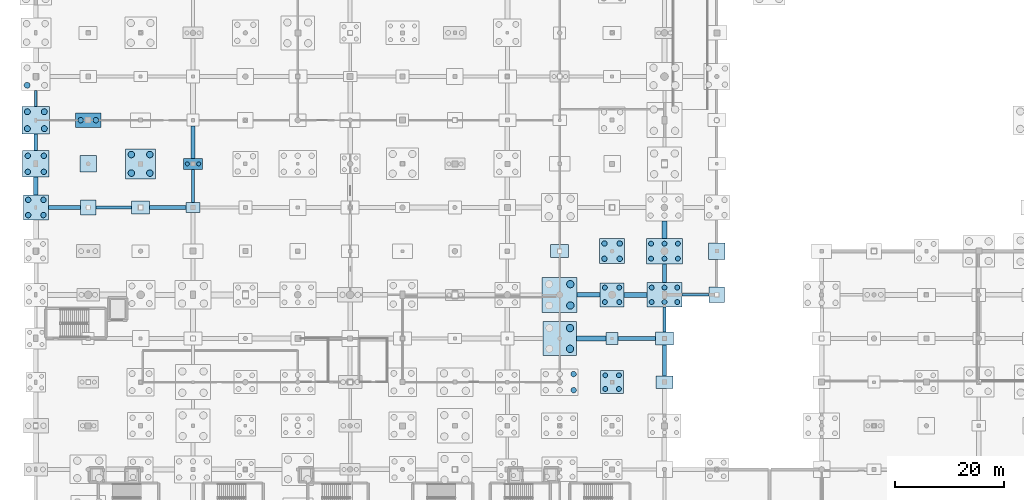
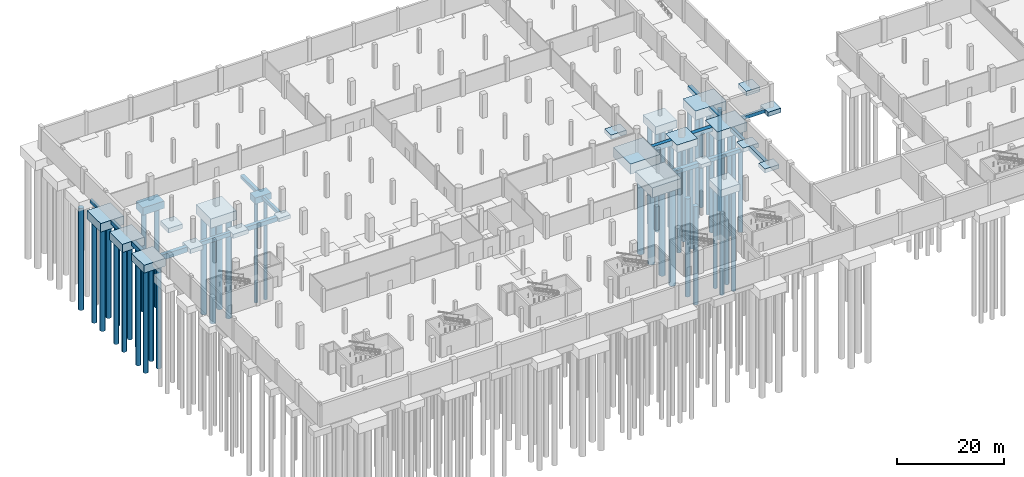
# One storey, part 6 of 44: 51 piles, 40 footings.
"""IFC4 building model written with IfcOpenShell, lengths in metres."""

from ifc_helpers import new_model, si_unit, direction, frame, origin, origin_2d, place, context, subcontext, project, spatial, rectangle, circle, extrude, material, material_profile, profile_set, type_object, element, save


model = new_model("IFC4")

# Units and contexts
model_context = context("Model", 3, precision=1e-05, world=origin(), true_north=direction((0.0, 1.0)))
body_context = subcontext(model_context, "Body", "Model", "MODEL_VIEW")
ifc_project = project(units=[si_unit("LENGTHUNIT", "METRE"), si_unit("AREAUNIT", "SQUARE_METRE"), si_unit("VOLUMEUNIT", "CUBIC_METRE"), si_unit("PLANEANGLEUNIT", "RADIAN"), si_unit("MASSUNIT", "GRAM", prefix="KILO")], contexts=[model_context])

# Site, building, storey
site_placement = place(None, origin())
site = spatial("IfcSite", under=ifc_project, at=site_placement, CompositionType="ELEMENT")
building_placement = place(site_placement, origin())
building = spatial("IfcBuilding", under=site, at=building_placement, Name="Danafjord Basin Convention Centre", CompositionType="ELEMENT")
storey_placement = place(building_placement, frame((0.0, 0.0, -5.39990234375)))
storey = spatial("IfcBuildingStorey", under=building, at=storey_placement, Name="B1", CompositionType="ELEMENT", Elevation=-5.39990234375)

# Footings
ifc_material_1 = material(Name="Concrete C40/50", Category="concrete")
footing_type_1 = type_object("IfcFootingType", Name="CAP-PC-01", PredefinedType="PILE_CAP", material=ifc_material_1)
footing_1_placement = place(storey_placement, frame((28.800048828125, 80.0, -2.0), z_axis=(0.0, 0.0, 1.0), x_axis=(1.0, 0.0, 0.0)))
element("IfcFooting", 1, at=footing_1_placement, inside=storey, type_object=footing_type_1, Name="B1 pile cap PC-01 at (28.8, 80.0)", PredefinedType="PILE_CAP", context=body_context, shape_type="SweptSolid", body=[
    extrude(rectangle(XDim=3.5, YDim=2.0, at=origin_2d()), origin(), (0.0, 0.0, 1.0), 1.39990234375),
])
footing_type_2 = type_object("IfcFootingType", Name="CAP-PC-05", PredefinedType="PILE_CAP", material=ifc_material_1)
footing_2_placement = place(storey_placement, frame((9.60009765625, 88.0, -2.30029296875), z_axis=(0.0, 0.0, 1.0), x_axis=(1.0, 0.0, 0.0)))
element("IfcFooting", 2, at=footing_2_placement, inside=storey, type_object=footing_type_2, Name="B1 pile cap PC-05 at (9.6, 88.0)", PredefinedType="PILE_CAP", context=body_context, shape_type="SweptSolid", body=[
    extrude(rectangle(XDim=4.60009765625, YDim=2.60009765625, at=origin_2d()), origin(), (0.0, 0.0, 1.0), 1.699951171875),
])
footing_type_3 = type_object("IfcFootingType", Name="CAP-PC-08", PredefinedType="PILE_CAP", material=ifc_material_1)
footing_3_placement = place(storey_placement, frame((105.60009765625, 40.0, -2.300048828125), z_axis=(0.0, 0.0, 1.0), x_axis=(1.0, 0.0, 0.0)))
element("IfcFooting", 3, at=footing_3_placement, inside=storey, type_object=footing_type_3, Name="B1 pile cap PC-08 at (105.6, 40.0)", PredefinedType="PILE_CAP", context=body_context, shape_type="SweptSolid", body=[
    extrude(rectangle(XDim=4.199951171875, YDim=4.199951171875, at=origin_2d()), origin(), (0.0, 0.0, 1.0), 1.64990234375),
])
footing_type_4 = type_object("IfcFootingType", Name="CAP-PC-09", PredefinedType="PILE_CAP", material=ifc_material_1)
footing_4_placement = place(storey_placement, frame((105.60009765625, 56.0, -1.7001953125), z_axis=(0.0, 0.0, 1.0), x_axis=(1.0, 0.0, 0.0)))
element("IfcFooting", 4, at=footing_4_placement, inside=storey, type_object=footing_type_4, Name="B1 pile cap PC-09 at (105.6, 56.0)", PredefinedType="PILE_CAP", context=body_context, shape_type="SweptSolid", body=[
    extrude(rectangle(XDim=4.39990234375, YDim=4.39990234375, at=origin_2d()), origin(), (0.0, 0.0, 1.0), 1.699951171875),
])
footing_type_5 = type_object("IfcFootingType", Name="CAP-PC-10", PredefinedType="PILE_CAP", material=ifc_material_1)
for number, where, z_axis, x_axis, name in (
    (5, (0.0, 72.0, -1.80029296875), (0.0, 0.0, 1.0), (1.0, 0.0, 0.0), "B1 pile cap PC-10 at (0.0, 72.0)"),
    (6, (105.60009765625, 64.0, -2.39990234375), (0.0, 0.0, 1.0), (1.0, 0.0, 0.0), "B1 pile cap PC-10 at (105.6, 64.0)"),
):
    element("IfcFooting", number, at=place(storey_placement, frame(where, z_axis=z_axis, x_axis=x_axis)), inside=storey, type_object=footing_type_5, Name=name, PredefinedType="PILE_CAP", context=body_context, shape_type="SweptSolid", body=[
        extrude(rectangle(XDim=4.60009765625, YDim=4.60009765625, at=origin_2d()), origin(), (0.0, 0.0, 1.0), 1.800048828125),
    ])
footing_type_6 = type_object("IfcFootingType", Name="CAP-PC-11", PredefinedType="PILE_CAP", material=ifc_material_1)
footing_5_placement = place(storey_placement, frame((0.0, 80.0, -1.85009765625), z_axis=(0.0, 0.0, 1.0), x_axis=(1.0, 0.0, 0.0)))
element("IfcFooting", 7, at=footing_5_placement, inside=storey, type_object=footing_type_6, Name="B1 pile cap PC-11 at (0.0, 80.0)", PredefinedType="PILE_CAP", context=body_context, shape_type="SweptSolid", body=[
    extrude(rectangle(XDim=4.800048828125, YDim=4.800048828125, at=origin_2d()), origin(), (0.0, 0.0, 1.0), 1.85009765625),
])
footing_type_7 = type_object("IfcFootingType", Name="CAP-PC-12", PredefinedType="PILE_CAP", material=ifc_material_1)
footing_6_placement = place(storey_placement, frame((0.0, 88.0, -1.9501953125), z_axis=(0.0, 0.0, 1.0), x_axis=(1.0, 0.0, 0.0)))
element("IfcFooting", 8, at=footing_6_placement, inside=storey, type_object=footing_type_7, Name="B1 pile cap PC-12 at (0.0, 88.0)", PredefinedType="PILE_CAP", context=body_context, shape_type="SweptSolid", body=[
    extrude(rectangle(XDim=5.0, YDim=5.0, at=origin_2d()), origin(), (0.0, 0.0, 1.0), 1.949951171875),
])
footing_type_8 = type_object("IfcFootingType", Name="CAP-PC-14", PredefinedType="PILE_CAP", material=ifc_material_1)
footing_7_placement = place(storey_placement, frame((19.199951171875, 80.0, -2.7001953125), z_axis=(0.0, 0.0, 1.0), x_axis=(1.0, 0.0, 0.0)))
element("IfcFooting", 9, at=footing_7_placement, inside=storey, type_object=footing_type_8, Name="B1 pile cap PC-14 at (19.2, 80.0)", PredefinedType="PILE_CAP", context=body_context, shape_type="SweptSolid", body=[
    extrude(rectangle(XDim=5.5, YDim=5.5, at=origin_2d()), origin(), (0.0, 0.0, 1.0), 2.10009765625),
])
footing_type_9 = type_object("IfcFootingType", Name="CAP-PC-17", PredefinedType="PILE_CAP", material=ifc_material_1)
footing_8_placement = place(storey_placement, frame((115.199951171875, 56.0, -2.0), z_axis=(0.0, 0.0, 1.0), x_axis=(1.0, 0.0, 0.0)))
element("IfcFooting", 10, at=footing_8_placement, inside=storey, type_object=footing_type_9, Name="B1 pile cap PC-17 at (115.2, 56.0)", PredefinedType="PILE_CAP", context=body_context, shape_type="SweptSolid", body=[
    extrude(rectangle(XDim=6.39990234375, YDim=4.5, at=origin_2d()), origin(), (0.0, 0.0, 1.0), 2.0),
])
footing_type_10 = type_object("IfcFootingType", Name="CAP-PC-18", PredefinedType="PILE_CAP", material=ifc_material_1)
footing_9_placement = place(storey_placement, frame((115.199951171875, 64.0, -2.05029296875), z_axis=(0.0, 0.0, 1.0), x_axis=(1.0, 0.0, 0.0)))
element("IfcFooting", 11, at=footing_9_placement, inside=storey, type_object=footing_type_10, Name="B1 pile cap PC-18 at (115.2, 64.0)", PredefinedType="PILE_CAP", context=body_context, shape_type="SweptSolid", body=[
    extrude(rectangle(XDim=6.60009765625, YDim=4.699951171875, at=origin_2d()), origin(), (0.0, 0.0, 1.0), 2.050048828125),
])
footing_type_11 = type_object("IfcFootingType", Name="CAP-PC-20", PredefinedType="PILE_CAP", material=ifc_material_1)
footing_10_placement = place(storey_placement, frame((96.0, 48.0, -2.900146484375), z_axis=(0.0, 0.0, 1.0), x_axis=(1.0, 0.0, 0.0)))
element("IfcFooting", 12, at=footing_10_placement, inside=storey, type_object=footing_type_11, Name="B1 pile cap PC-20 at (96.0, 48.0)", PredefinedType="PILE_CAP", context=body_context, shape_type="SweptSolid", body=[
    extrude(rectangle(XDim=6.199951171875, YDim=6.199951171875, at=origin_2d()), origin(), (0.0, 0.0, 1.0), 2.25),
])
footing_type_12 = type_object("IfcFootingType", Name="CAP-PC-21", PredefinedType="PILE_CAP", material=ifc_material_1)
footing_11_placement = place(storey_placement, frame((96.0, 56.0, -2.30029296875), z_axis=(0.0, 0.0, 1.0), x_axis=(1.0, 0.0, 0.0)))
element("IfcFooting", 13, at=footing_11_placement, inside=storey, type_object=footing_type_12, Name="B1 pile cap PC-21 at (96.0, 56.0)", PredefinedType="PILE_CAP", context=body_context, shape_type="SweptSolid", body=[
    extrude(rectangle(XDim=6.39990234375, YDim=6.39990234375, at=origin_2d()), origin(), (0.0, 0.0, 1.0), 2.300048828125),
])
ifc_material_profile_1 = material_profile(ifc_material_1, rectangle(XDim=0.800048828125, YDim=1.0, at=origin_2d()), Name="GB 800x1000")
ifc_profile_set_1 = profile_set([ifc_material_profile_1], Name="Concrete C40/50")
footing_type_13 = type_object("IfcFootingType", Name="FBM-FB-01", PredefinedType="FOOTING_BEAM", material=ifc_profile_set_1)
footing_12_placement = place(storey_placement, frame((0.0, 74.300048828125, -0.5), z_axis=(0.0, 1.0, 0.0), x_axis=(-1.0, 0.0, 0.0)))
element("IfcFooting", 14, at=footing_12_placement, inside=storey, type_object=footing_type_13, Name="B1 foundation tie beam FB-01", PredefinedType="FOOTING_BEAM", context=body_context, shape_type="SweptSolid", body=[
    extrude(rectangle(XDim=0.800048828125, YDim=1.0, at=origin_2d()), origin(), (0.0, 0.0, 1.0), 3.300048828125),
])
footing_13_placement = place(storey_placement, frame((20.85009765625, 72.0, -1.10009765625), z_axis=(1.0, 0.0, 0.0), x_axis=(0.0, 1.0, 0.0)))
element("IfcFooting", 15, at=footing_13_placement, inside=storey, type_object=footing_type_13, Name="B1 foundation beam FB-01", PredefinedType="FOOTING_BEAM", context=body_context, shape_type="SweptSolid", body=[
    extrude(rectangle(XDim=0.800048828125, YDim=1.0, at=origin_2d()), origin(), (0.0, 0.0, 1.0), 6.699951171875),
])
footing_14_placement = place(storey_placement, frame((115.199951171875, 41.125, -0.5), z_axis=(0.0, 1.0, 0.0), x_axis=(-1.0, 0.0, 0.0)))
element("IfcFooting", 16, at=footing_14_placement, inside=storey, type_object=footing_type_13, Name="B1 foundation tie beam FB-01", PredefinedType="FOOTING_BEAM", context=body_context, shape_type="SweptSolid", body=[
    extrude(rectangle(XDim=0.800048828125, YDim=1.0, at=origin_2d()), origin(), (0.0, 0.0, 1.0), 5.675048828125),
])
ifc_material_profile_2 = material_profile(ifc_material_1, rectangle(XDim=0.60009765625, YDim=0.89990234375, at=origin_2d()), Name="GB 600x900")
ifc_profile_set_2 = profile_set([ifc_material_profile_2], Name="Concrete C40/50")
footing_type_14 = type_object("IfcFootingType", Name="FBM-FB-02", PredefinedType="FOOTING_BEAM", material=ifc_profile_set_2)
footing_15_placement = place(storey_placement, frame((0.0, 82.39990234375, -0.4501953125), z_axis=(0.0, 1.0, 0.0), x_axis=(-1.0, 0.0, 0.0)))
element("IfcFooting", 17, at=footing_15_placement, inside=storey, type_object=footing_type_14, Name="B1 foundation tie beam FB-02", PredefinedType="FOOTING_BEAM", context=body_context, shape_type="SweptSolid", body=[
    extrude(rectangle(XDim=0.60009765625, YDim=0.89990234375, at=origin_2d()), origin(), (0.0, 0.0, 1.0), 3.10009765625),
])
footing_16_placement = place(storey_placement, frame((11.0, 72.0, -1.050048828125), z_axis=(1.0, 0.0, 0.0), x_axis=(0.0, 1.0, 0.0)))
element("IfcFooting", 18, at=footing_16_placement, inside=storey, type_object=footing_type_14, Name="B1 foundation beam FB-02", PredefinedType="FOOTING_BEAM", context=body_context, shape_type="SweptSolid", body=[
    extrude(rectangle(XDim=0.60009765625, YDim=0.89990234375, at=origin_2d()), origin(), (0.0, 0.0, 1.0), 6.550048828125),
])
footing_17_placement = place(storey_placement, frame((115.199951171875, 49.199951171875, -0.4501953125), z_axis=(0.0, 1.0, 0.0), x_axis=(-1.0, 0.0, 0.0)))
element("IfcFooting", 19, at=footing_17_placement, inside=storey, type_object=footing_type_14, Name="B1 foundation tie beam FB-02", PredefinedType="FOOTING_BEAM", context=body_context, shape_type="SweptSolid", body=[
    extrude(rectangle(XDim=0.60009765625, YDim=0.89990234375, at=origin_2d()), origin(), (0.0, 0.0, 1.0), 4.550048828125),
])
ifc_material_profile_3 = material_profile(ifc_material_1, rectangle(XDim=0.5, YDim=0.800048828125, at=origin_2d()), Name="PCB 500x800")
ifc_profile_set_3 = profile_set([ifc_material_profile_3], Name="Concrete C40/50")
footing_type_15 = type_object("IfcFootingType", Name="FBM-FB-03", PredefinedType="FOOTING_BEAM", material=ifc_profile_set_3)
footing_18_placement = place(storey_placement, frame((0.0, 90.5, -0.400146484375), z_axis=(0.0, 1.0, 0.0), x_axis=(-1.0, 0.0, 0.0)))
element("IfcFooting", 20, at=footing_18_placement, inside=storey, type_object=footing_type_15, Name="B1 foundation tie beam FB-03", PredefinedType="FOOTING_BEAM", context=body_context, shape_type="SweptSolid", body=[
    extrude(rectangle(XDim=0.5, YDim=0.800048828125, at=origin_2d()), origin(), (0.0, 0.0, 1.0), 2.89990234375),
])
footing_19_placement = place(storey_placement, frame((28.800048828125, 72.949951171875, -1.0), z_axis=(0.0, 1.0, 0.0), x_axis=(-1.0, 0.0, 0.0)))
element("IfcFooting", 21, at=footing_19_placement, inside=storey, type_object=footing_type_15, Name="B1 foundation tie beam FB-03", PredefinedType="FOOTING_BEAM", context=body_context, shape_type="SweptSolid", body=[
    extrude(rectangle(XDim=0.5, YDim=0.800048828125, at=origin_2d()), origin(), (0.0, 0.0, 1.0), 6.050048828125),
])
footing_20_placement = place(storey_placement, frame((118.39990234375, 56.0, -0.400146484375), z_axis=(1.0, 0.0, 0.0), x_axis=(0.0, 1.0, 0.0)))
element("IfcFooting", 22, at=footing_20_placement, inside=storey, type_object=footing_type_15, Name="B1 foundation beam FB-03", PredefinedType="FOOTING_BEAM", context=body_context, shape_type="SweptSolid", body=[
    extrude(rectangle(XDim=0.5, YDim=0.800048828125, at=origin_2d()), origin(), (0.0, 0.0, 1.0), 5.0),
])
ifc_material_profile_4 = material_profile(ifc_material_1, rectangle(XDim=0.75, YDim=0.75, at=origin_2d()), Name="RC 750x750")
ifc_profile_set_4 = profile_set([ifc_material_profile_4], Name="Concrete C40/50")
footing_type_16 = type_object("IfcFootingType", Name="FBM-FB-04", PredefinedType="FOOTING_BEAM", material=ifc_profile_set_4)
footing_21_placement = place(storey_placement, frame((28.800048828125, 81.0, -0.97509765625), z_axis=(0.0, 1.0, 0.0), x_axis=(-1.0, 0.0, 0.0)))
element("IfcFooting", 23, at=footing_21_placement, inside=storey, type_object=footing_type_16, Name="B1 foundation tie beam FB-04", PredefinedType="FOOTING_BEAM", context=body_context, shape_type="SweptSolid", body=[
    extrude(rectangle(XDim=0.75, YDim=0.75, at=origin_2d()), origin(), (0.0, 0.0, 1.0), 5.89990234375),
])
footing_22_placement = place(storey_placement, frame((106.699951171875, 48.0, -1.025146484375), z_axis=(1.0, 0.0, 0.0), x_axis=(0.0, 1.0, 0.0)))
element("IfcFooting", 24, at=footing_22_placement, inside=storey, type_object=footing_type_16, Name="B1 foundation beam FB-04", PredefinedType="FOOTING_BEAM", context=body_context, shape_type="SweptSolid", body=[
    extrude(rectangle(XDim=0.75, YDim=0.75, at=origin_2d()), origin(), (0.0, 0.0, 1.0), 6.85009765625),
])
footing_23_placement = place(storey_placement, frame((115.199951171875, 58.25, -0.375), z_axis=(0.0, 1.0, 0.0), x_axis=(-1.0, 0.0, 0.0)))
element("IfcFooting", 25, at=footing_23_placement, inside=storey, type_object=footing_type_16, Name="B1 foundation tie beam FB-04", PredefinedType="FOOTING_BEAM", context=body_context, shape_type="SweptSolid", body=[
    extrude(rectangle(XDim=0.75, YDim=0.75, at=origin_2d()), origin(), (0.0, 0.0, 1.0), 3.39990234375),
])
ifc_material_profile_5 = material_profile(ifc_material_1, rectangle(XDim=0.89990234375, YDim=0.89990234375, at=origin_2d()), Name="RC 900x900")
ifc_profile_set_5 = profile_set([ifc_material_profile_5], Name="Concrete C40/50")
footing_type_17 = type_object("IfcFootingType", Name="FBM-FB-05", PredefinedType="FOOTING_BEAM", material=ifc_profile_set_5)
footing_24_placement = place(storey_placement, frame((99.10009765625, 48.0, -1.10009765625), z_axis=(1.0, 0.0, 0.0), x_axis=(0.0, 1.0, 0.0)))
element("IfcFooting", 26, at=footing_24_placement, inside=storey, type_object=footing_type_17, Name="B1 foundation beam FB-05", PredefinedType="FOOTING_BEAM", context=body_context, shape_type="SweptSolid", body=[
    extrude(rectangle(XDim=0.89990234375, YDim=0.89990234375, at=origin_2d()), origin(), (0.0, 0.0, 1.0), 5.39990234375),
])
footing_25_placement = place(storey_placement, frame((107.800048828125, 56.0, -0.4501953125), z_axis=(1.0, 0.0, 0.0), x_axis=(0.0, 1.0, 0.0)))
element("IfcFooting", 27, at=footing_25_placement, inside=storey, type_object=footing_type_17, Name="B1 foundation beam FB-05", PredefinedType="FOOTING_BEAM", context=body_context, shape_type="SweptSolid", body=[
    extrude(rectangle(XDim=0.89990234375, YDim=0.89990234375, at=origin_2d()), origin(), (0.0, 0.0, 1.0), 4.199951171875),
])
footing_26_placement = place(storey_placement, frame((115.199951171875, 66.35009765625, -0.4501953125), z_axis=(0.0, 1.0, 0.0), x_axis=(-1.0, 0.0, 0.0)))
element("IfcFooting", 28, at=footing_26_placement, inside=storey, type_object=footing_type_17, Name="B1 foundation tie beam FB-05", PredefinedType="FOOTING_BEAM", context=body_context, shape_type="SweptSolid", body=[
    extrude(rectangle(XDim=0.89990234375, YDim=0.89990234375, at=origin_2d()), origin(), (0.0, 0.0, 1.0), 3.199951171875),
])
ifc_material_profile_6 = material_profile(ifc_material_1, rectangle(XDim=0.800048828125, YDim=1.199951171875, at=origin_2d()), Name="RC 1200x800")
ifc_profile_set_6 = profile_set([ifc_material_profile_6], Name="Concrete C40/50")
footing_type_18 = type_object("IfcFootingType", Name="FBM-FB-06", PredefinedType="FOOTING_BEAM", material=ifc_profile_set_6)
footing_27_placement = place(storey_placement, frame((2.300048828125, 72.0, -1.2001953125), z_axis=(1.0, 0.0, 0.0), x_axis=(0.0, 1.0, 0.0)))
element("IfcFooting", 29, at=footing_27_placement, inside=storey, type_object=footing_type_18, Name="B1 foundation beam FB-06", PredefinedType="FOOTING_BEAM", context=body_context, shape_type="SweptSolid", body=[
    extrude(rectangle(XDim=0.800048828125, YDim=1.199951171875, at=origin_2d()), origin(), (0.0, 0.0, 1.0), 5.89990234375),
])
footing_28_placement = place(storey_placement, frame((99.199951171875, 56.0, -0.60009765625), z_axis=(1.0, 0.0, 0.0), x_axis=(0.0, 1.0, 0.0)))
element("IfcFooting", 30, at=footing_28_placement, inside=storey, type_object=footing_type_18, Name="B1 foundation beam FB-06", PredefinedType="FOOTING_BEAM", context=body_context, shape_type="SweptSolid", body=[
    extrude(rectangle(XDim=0.800048828125, YDim=1.199951171875, at=origin_2d()), origin(), (0.0, 0.0, 1.0), 4.199951171875),
])
ifc_material_2 = material(Name="Concrete C35/45", Category="concrete")
footing_type_19 = type_object("IfcFootingType", Name="PAD-PF-02", PredefinedType="PAD_FOOTING", material=ifc_material_2)
footing_29_placement = place(storey_placement, frame((105.60009765625, 48.0, -1.500244140625), z_axis=(0.0, 0.0, 1.0), x_axis=(1.0, 0.0, 0.0)))
element("IfcFooting", 31, at=footing_29_placement, inside=storey, type_object=footing_type_19, Name="B1 pad footing PF-02 at (105.6, 48.0)", PredefinedType="PAD_FOOTING", context=body_context, shape_type="SweptSolid", body=[
    extrude(rectangle(XDim=2.199951171875, YDim=2.199951171875, at=origin_2d()), origin(), (0.0, 0.0, 1.0), 0.85009765625),
])
footing_type_20 = type_object("IfcFootingType", Name="PAD-PF-05", PredefinedType="PAD_FOOTING", material=ifc_material_2)
for number, where, z_axis, x_axis, name in (
    (32, (9.60009765625, 72.0, -1.60009765625), (0.0, 0.0, 1.0), (1.0, 0.0, 0.0), "B1 pad footing PF-05 at (9.6, 72.0)"),
    (33, (124.800048828125, 56.0, -1.0), (0.0, 0.0, 1.0), (1.0, 0.0, 0.0), "B1 pad footing PF-05 at (124.8, 56.0)"),
):
    element("IfcFooting", number, at=place(storey_placement, frame(where, z_axis=z_axis, x_axis=x_axis)), inside=storey, type_object=footing_type_20, Name=name, PredefinedType="PAD_FOOTING", context=body_context, shape_type="SweptSolid", body=[
        extrude(rectangle(XDim=2.800048828125, YDim=2.800048828125, at=origin_2d()), origin(), (0.0, 0.0, 1.0), 1.0),
    ])
footing_type_21 = type_object("IfcFootingType", Name="PAD-PF-06", PredefinedType="PAD_FOOTING", material=ifc_material_2)
for number, where, z_axis, x_axis, name in (
    (34, (9.60009765625, 80.0, -1.64990234375), (0.0, 0.0, 1.0), (1.0, 0.0, 0.0), "B1 pad footing PF-06 at (9.6, 80.0)"),
    (35, (124.800048828125, 64.0, -1.05029296875), (0.0, 0.0, 1.0), (1.0, 0.0, 0.0), "B1 pad footing PF-06 at (124.8, 64.0)"),
):
    element("IfcFooting", number, at=place(storey_placement, frame(where, z_axis=z_axis, x_axis=x_axis)), inside=storey, type_object=footing_type_21, Name=name, PredefinedType="PAD_FOOTING", context=body_context, shape_type="SweptSolid", body=[
        extrude(rectangle(XDim=3.0, YDim=3.0, at=origin_2d()), origin(), (0.0, 0.0, 1.0), 1.050048828125),
    ])
footing_type_22 = type_object("IfcFootingType", Name="PAD-PF-08", PredefinedType="PAD_FOOTING", material=ifc_material_2)
footing_30_placement = place(storey_placement, frame((115.199951171875, 40.0, -0.900146484375), z_axis=(0.0, 0.0, 1.0), x_axis=(1.0, 0.0, 0.0)))
element("IfcFooting", 36, at=footing_30_placement, inside=storey, type_object=footing_type_22, Name="B1 pad footing PF-08 at (115.2, 40.0)", PredefinedType="PAD_FOOTING", context=body_context, shape_type="SweptSolid", body=[
    extrude(rectangle(XDim=3.10009765625, YDim=2.25, at=origin_2d()), origin(), (0.0, 0.0, 1.0), 0.89990234375),
])
footing_type_23 = type_object("IfcFootingType", Name="PAD-PF-09", PredefinedType="PAD_FOOTING", material=ifc_material_2)
for number, where, z_axis, x_axis, name in (
    (37, (19.199951171875, 72.0, -1.55029296875), (0.0, 0.0, 1.0), (1.0, 0.0, 0.0), "B1 pad footing PF-09 at (19.2, 72.0)"),
    (38, (96.0, 64.0, -0.9501953125), (0.0, 0.0, 1.0), (1.0, 0.0, 0.0), "B1 pad footing PF-09 at (96.0, 64.0)"),
    (39, (115.199951171875, 48.0, -0.9501953125), (0.0, 0.0, 1.0), (1.0, 0.0, 0.0), "B1 pad footing PF-09 at (115.2, 48.0)"),
):
    element("IfcFooting", number, at=place(storey_placement, frame(where, z_axis=z_axis, x_axis=x_axis)), inside=storey, type_object=footing_type_23, Name=name, PredefinedType="PAD_FOOTING", context=body_context, shape_type="SweptSolid", body=[
        extrude(rectangle(XDim=3.300048828125, YDim=2.39990234375, at=origin_2d()), origin(), (0.0, 0.0, 1.0), 0.949951171875),
    ])
footing_type_24 = type_object("IfcFootingType", Name="PAD-PF-12", PredefinedType="PAD_FOOTING", material=ifc_material_2)
footing_31_placement = place(storey_placement, frame((28.800048828125, 72.0, -1.39990234375), z_axis=(0.0, 0.0, 1.0), x_axis=(1.0, 0.0, 0.0)))
element("IfcFooting", 40, at=footing_31_placement, inside=storey, type_object=footing_type_24, Name="B1 pad footing PF-12 at (28.8, 72.0)", PredefinedType="PAD_FOOTING", context=body_context, shape_type="SweptSolid", body=[
    extrude(rectangle(XDim=2.5, YDim=1.89990234375, at=origin_2d()), origin(), (0.0, 0.0, 1.0), 0.800048828125),
])

# Piles
ifc_material_profile_7 = material_profile(ifc_material_1, circle(Radius=0.5, at=origin_2d()), Name="PILE D1000")
ifc_profile_set_7 = profile_set([ifc_material_profile_7], Name="Concrete C40/50")
pile_type_1 = type_object("IfcPileType", Name="PILE-PL-1000", PredefinedType="BORED", material=ifc_profile_set_7)
for number, where, z_axis, x_axis, name in (
    (41, (-1.39990234375, 70.60009765625, -1.7001953125), (0.0, 0.0, -1.0), (1.0, 0.0, 0.0), "PC-10 bored pile 1-1"),
    (42, (-1.39990234375, 73.39990234375, -1.7001953125), (0.0, 0.0, -1.0), (1.0, 0.0, 0.0), "PC-10 bored pile 1-2"),
    (43, (1.39990234375, 70.60009765625, -1.7001953125), (0.0, 0.0, -1.0), (1.0, 0.0, 0.0), "PC-10 bored pile 2-1"),
    (44, (1.39990234375, 73.39990234375, -1.7001953125), (0.0, 0.0, -1.0), (1.0, 0.0, 0.0), "PC-10 bored pile 2-2"),
):
    element("IfcPile", number, at=place(storey_placement, frame(where, z_axis=z_axis, x_axis=x_axis)), inside=storey, type_object=pile_type_1, Name=name, PredefinedType="BORED", context=body_context, shape_type="SweptSolid", body=[
        extrude(circle(Radius=0.5, at=origin_2d()), origin(), (0.0, 0.0, 1.0), 23.39990234375),
    ])
for number, where, z_axis, x_axis, name in (
    (45, (-1.47509765625, 78.52490234375, -1.75), (0.0, 0.0, -1.0), (1.0, 0.0, 0.0), "PC-11 bored pile 1-1"),
    (46, (-1.47509765625, 81.47509765625, -1.75), (0.0, 0.0, -1.0), (1.0, 0.0, 0.0), "PC-11 bored pile 1-2"),
    (47, (1.47509765625, 78.52490234375, -1.75), (0.0, 0.0, -1.0), (1.0, 0.0, 0.0), "PC-11 bored pile 2-1"),
    (48, (1.47509765625, 81.47509765625, -1.75), (0.0, 0.0, -1.0), (1.0, 0.0, 0.0), "PC-11 bored pile 2-2"),
):
    element("IfcPile", number, at=place(storey_placement, frame(where, z_axis=z_axis, x_axis=x_axis)), inside=storey, type_object=pile_type_1, Name=name, PredefinedType="BORED", context=body_context, shape_type="SweptSolid", body=[
        extrude(circle(Radius=0.5, at=origin_2d()), origin(), (0.0, 0.0, 1.0), 23.35009765625),
    ])
for number, where, z_axis, x_axis, name in (
    (49, (8.199951171875, 88.0, -2.2001953125), (0.0, 0.0, -1.0), (1.0, 0.0, 0.0), "PC-05 bored pile 1-1"),
    (50, (11.0, 88.0, -2.2001953125), (0.0, 0.0, -1.0), (1.0, 0.0, 0.0), "PC-05 bored pile 2-1"),
):
    element("IfcPile", number, at=place(storey_placement, frame(where, z_axis=z_axis, x_axis=x_axis)), inside=storey, type_object=pile_type_1, Name=name, PredefinedType="BORED", context=body_context, shape_type="SweptSolid", body=[
        extrude(circle(Radius=0.5, at=origin_2d()), origin(), (0.0, 0.0, 1.0), 22.89990234375),
    ])
for number, where, z_axis, x_axis, name in (
    (51, (98.550048828125, 38.52490234375, -2.7001953125), (0.0, 0.0, -1.0), (1.0, 0.0, 0.0), "PC-19 bored pile 3-1"),
    (52, (98.550048828125, 41.47509765625, -2.7001953125), (0.0, 0.0, -1.0), (1.0, 0.0, 0.0), "PC-19 bored pile 3-2"),
):
    element("IfcPile", number, at=place(storey_placement, frame(where, z_axis=z_axis, x_axis=x_axis)), inside=storey, type_object=pile_type_1, Name=name, PredefinedType="BORED", context=body_context, shape_type="SweptSolid", body=[
        extrude(circle(Radius=0.5, at=origin_2d()), origin(), (0.0, 0.0, 1.0), 22.39990234375),
    ])
for number, where, z_axis, x_axis, name in (
    (53, (104.199951171875, 62.60009765625, -2.300048828125), (0.0, 0.0, -1.0), (1.0, 0.0, 0.0), "PC-10 bored pile 1-1"),
    (54, (104.199951171875, 65.39990234375, -2.300048828125), (0.0, 0.0, -1.0), (1.0, 0.0, 0.0), "PC-10 bored pile 1-2"),
    (55, (107.0, 62.60009765625, -2.300048828125), (0.0, 0.0, -1.0), (1.0, 0.0, 0.0), "PC-10 bored pile 2-1"),
    (56, (107.0, 65.39990234375, -2.300048828125), (0.0, 0.0, -1.0), (1.0, 0.0, 0.0), "PC-10 bored pile 2-2"),
):
    element("IfcPile", number, at=place(storey_placement, frame(where, z_axis=z_axis, x_axis=x_axis)), inside=storey, type_object=pile_type_1, Name=name, PredefinedType="BORED", context=body_context, shape_type="SweptSolid", body=[
        extrude(circle(Radius=0.5, at=origin_2d()), origin(), (0.0, 0.0, 1.0), 22.800048828125),
    ])
ifc_material_profile_8 = material_profile(ifc_material_1, circle(Radius=0.550048828125, at=origin_2d()), Name="PILE D1100")
ifc_profile_set_8 = profile_set([ifc_material_profile_8], Name="Concrete C40/50")
pile_type_2 = type_object("IfcPileType", Name="PILE-PL-1100", PredefinedType="BORED", material=ifc_profile_set_8)
for number, where, z_axis, x_axis, name in (
    (57, (-1.550048828125, 86.449951171875, -1.85009765625), (0.0, 0.0, -1.0), (1.0, 0.0, 0.0), "PC-12 bored pile 1-1"),
    (58, (-1.550048828125, 89.550048828125, -1.85009765625), (0.0, 0.0, -1.0), (1.0, 0.0, 0.0), "PC-12 bored pile 1-2"),
    (59, (1.550048828125, 86.449951171875, -1.85009765625), (0.0, 0.0, -1.0), (1.0, 0.0, 0.0), "PC-12 bored pile 2-1"),
    (60, (1.550048828125, 89.550048828125, -1.85009765625), (0.0, 0.0, -1.0), (1.0, 0.0, 0.0), "PC-12 bored pile 2-2"),
):
    element("IfcPile", number, at=place(storey_placement, frame(where, z_axis=z_axis, x_axis=x_axis)), inside=storey, type_object=pile_type_2, Name=name, PredefinedType="BORED", context=body_context, shape_type="SweptSolid", body=[
        extrude(circle(Radius=0.550048828125, at=origin_2d()), origin(), (0.0, 0.0, 1.0), 23.25),
    ])
pile_placement = place(storey_placement, frame((-1.60009765625, 94.39990234375, -1.900146484375), z_axis=(0.0, 0.0, -1.0), x_axis=(1.0, 0.0, 0.0)))
element("IfcPile", 61, at=pile_placement, inside=storey, type_object=pile_type_2, Name="PC-13 bored pile 1-1", PredefinedType="BORED", context=body_context, shape_type="SweptSolid", body=[
    extrude(circle(Radius=0.550048828125, at=origin_2d()), origin(), (0.0, 0.0, 1.0), 23.199951171875),
])
ifc_material_profile_9 = material_profile(ifc_material_1, circle(Radius=0.60009765625, at=origin_2d()), Name="PILE D1200")
ifc_profile_set_9 = profile_set([ifc_material_profile_9], Name="Concrete C40/50")
pile_type_3 = type_object("IfcPileType", Name="PILE-PL-1200", PredefinedType="BORED", material=ifc_profile_set_9)
for number, where, z_axis, x_axis, name in (
    (62, (17.5, 78.300048828125, -2.60009765625), (0.0, 0.0, -1.0), (1.0, 0.0, 0.0), "PC-14 bored pile 1-1"),
    (63, (17.5, 81.699951171875, -2.60009765625), (0.0, 0.0, -1.0), (1.0, 0.0, 0.0), "PC-14 bored pile 1-2"),
    (64, (20.89990234375, 78.300048828125, -2.60009765625), (0.0, 0.0, -1.0), (1.0, 0.0, 0.0), "PC-14 bored pile 2-1"),
    (65, (20.89990234375, 81.699951171875, -2.60009765625), (0.0, 0.0, -1.0), (1.0, 0.0, 0.0), "PC-14 bored pile 2-2"),
):
    element("IfcPile", number, at=place(storey_placement, frame(where, z_axis=z_axis, x_axis=x_axis)), inside=storey, type_object=pile_type_3, Name=name, PredefinedType="BORED", context=body_context, shape_type="SweptSolid", body=[
        extrude(circle(Radius=0.60009765625, at=origin_2d()), origin(), (0.0, 0.0, 1.0), 22.5),
    ])
ifc_material_profile_10 = material_profile(ifc_material_1, circle(Radius=0.675048828125, at=origin_2d()), Name="PILE D1350")
ifc_profile_set_10 = profile_set([ifc_material_profile_10], Name="Concrete C40/50")
pile_type_4 = type_object("IfcPileType", Name="PILE-PL-1350", PredefinedType="BORED", material=ifc_profile_set_10)
for number, where, z_axis, x_axis, name in (
    (66, (97.89990234375, 46.10009765625, -2.800048828125), (0.0, 0.0, -1.0), (1.0, 0.0, 0.0), "PC-20 bored pile 2-1"),
    (67, (97.89990234375, 49.89990234375, -2.800048828125), (0.0, 0.0, -1.0), (1.0, 0.0, 0.0), "PC-20 bored pile 2-2"),
):
    element("IfcPile", number, at=place(storey_placement, frame(where, z_axis=z_axis, x_axis=x_axis)), inside=storey, type_object=pile_type_4, Name=name, PredefinedType="BORED", context=body_context, shape_type="SweptSolid", body=[
        extrude(circle(Radius=0.675048828125, at=origin_2d()), origin(), (0.0, 0.0, 1.0), 22.300048828125),
    ])
for number, where, z_axis, x_axis, name in (
    (68, (97.949951171875, 54.050048828125, -2.2001953125), (0.0, 0.0, -1.0), (1.0, 0.0, 0.0), "PC-21 bored pile 2-1"),
    (69, (97.949951171875, 57.949951171875, -2.2001953125), (0.0, 0.0, -1.0), (1.0, 0.0, 0.0), "PC-21 bored pile 2-2"),
):
    element("IfcPile", number, at=place(storey_placement, frame(where, z_axis=z_axis, x_axis=x_axis)), inside=storey, type_object=pile_type_4, Name=name, PredefinedType="BORED", context=body_context, shape_type="SweptSolid", body=[
        extrude(circle(Radius=0.675048828125, at=origin_2d()), origin(), (0.0, 0.0, 1.0), 22.89990234375),
    ])
ifc_material_profile_11 = material_profile(ifc_material_1, circle(Radius=0.375, at=origin_2d()), Name="PILE D750")
ifc_profile_set_11 = profile_set([ifc_material_profile_11], Name="Concrete C40/50")
pile_type_5 = type_object("IfcPileType", Name="PILE-PL-750", PredefinedType="BORED", material=ifc_profile_set_11)
for number, where, z_axis, x_axis, name in (
    (70, (27.75, 80.0, -1.900146484375), (0.0, 0.0, -1.0), (1.0, 0.0, 0.0), "PC-01 bored pile 1-1"),
    (71, (29.85009765625, 80.0, -1.900146484375), (0.0, 0.0, -1.0), (1.0, 0.0, 0.0), "PC-01 bored pile 2-1"),
):
    element("IfcPile", number, at=place(storey_placement, frame(where, z_axis=z_axis, x_axis=x_axis)), inside=storey, type_object=pile_type_5, Name=name, PredefinedType="BORED", context=body_context, shape_type="SweptSolid", body=[
        extrude(circle(Radius=0.375, at=origin_2d()), origin(), (0.0, 0.0, 1.0), 23.199951171875),
    ])
ifc_material_profile_12 = material_profile(ifc_material_1, circle(Radius=0.449951171875, at=origin_2d()), Name="PILE D900")
ifc_profile_set_12 = profile_set([ifc_material_profile_12], Name="Concrete C40/50")
pile_type_6 = type_object("IfcPileType", Name="PILE-PL-900", PredefinedType="BORED", material=ifc_profile_set_12)
for number, where, z_axis, x_axis, name in (
    (72, (104.35009765625, 38.75, -2.2001953125), (0.0, 0.0, -1.0), (1.0, 0.0, 0.0), "PC-08 bored pile 1-1"),
    (73, (104.35009765625, 41.25, -2.2001953125), (0.0, 0.0, -1.0), (1.0, 0.0, 0.0), "PC-08 bored pile 1-2"),
    (74, (106.85009765625, 38.75, -2.2001953125), (0.0, 0.0, -1.0), (1.0, 0.0, 0.0), "PC-08 bored pile 2-1"),
    (75, (106.85009765625, 41.25, -2.2001953125), (0.0, 0.0, -1.0), (1.0, 0.0, 0.0), "PC-08 bored pile 2-2"),
):
    element("IfcPile", number, at=place(storey_placement, frame(where, z_axis=z_axis, x_axis=x_axis)), inside=storey, type_object=pile_type_6, Name=name, PredefinedType="BORED", context=body_context, shape_type="SweptSolid", body=[
        extrude(circle(Radius=0.449951171875, at=origin_2d()), origin(), (0.0, 0.0, 1.0), 22.89990234375),
    ])
for number, where, z_axis, x_axis, name in (
    (76, (104.27490234375, 54.675048828125, -1.60009765625), (0.0, 0.0, -1.0), (1.0, 0.0, 0.0), "PC-09 bored pile 1-1"),
    (77, (104.27490234375, 57.324951171875, -1.60009765625), (0.0, 0.0, -1.0), (1.0, 0.0, 0.0), "PC-09 bored pile 1-2"),
    (78, (106.925048828125, 54.675048828125, -1.60009765625), (0.0, 0.0, -1.0), (1.0, 0.0, 0.0), "PC-09 bored pile 2-1"),
    (79, (106.925048828125, 57.324951171875, -1.60009765625), (0.0, 0.0, -1.0), (1.0, 0.0, 0.0), "PC-09 bored pile 2-2"),
):
    element("IfcPile", number, at=place(storey_placement, frame(where, z_axis=z_axis, x_axis=x_axis)), inside=storey, type_object=pile_type_6, Name=name, PredefinedType="BORED", context=body_context, shape_type="SweptSolid", body=[
        extrude(circle(Radius=0.449951171875, at=origin_2d()), origin(), (0.0, 0.0, 1.0), 23.5),
    ])
for number, where, z_axis, x_axis, name in (
    (80, (112.85009765625, 54.675048828125, -1.900146484375), (0.0, 0.0, -1.0), (1.0, 0.0, 0.0), "PC-17 bored pile 1-1"),
    (81, (112.85009765625, 57.324951171875, -1.900146484375), (0.0, 0.0, -1.0), (1.0, 0.0, 0.0), "PC-17 bored pile 1-2"),
    (82, (115.199951171875, 54.675048828125, -1.900146484375), (0.0, 0.0, -1.0), (1.0, 0.0, 0.0), "PC-17 bored pile 2-1"),
    (83, (115.199951171875, 57.324951171875, -1.900146484375), (0.0, 0.0, -1.0), (1.0, 0.0, 0.0), "PC-17 bored pile 2-2"),
    (84, (117.550048828125, 54.675048828125, -1.900146484375), (0.0, 0.0, -1.0), (1.0, 0.0, 0.0), "PC-17 bored pile 3-1"),
    (85, (117.550048828125, 57.324951171875, -1.900146484375), (0.0, 0.0, -1.0), (1.0, 0.0, 0.0), "PC-17 bored pile 3-2"),
):
    element("IfcPile", number, at=place(storey_placement, frame(where, z_axis=z_axis, x_axis=x_axis)), inside=storey, type_object=pile_type_6, Name=name, PredefinedType="BORED", context=body_context, shape_type="SweptSolid", body=[
        extrude(circle(Radius=0.449951171875, at=origin_2d()), origin(), (0.0, 0.0, 1.0), 23.199951171875),
    ])
for number, where, z_axis, x_axis, name in (
    (86, (112.75, 62.625, -1.9501953125), (0.0, 0.0, -1.0), (1.0, 0.0, 0.0), "PC-18 bored pile 1-1"),
    (87, (112.75, 65.375, -1.9501953125), (0.0, 0.0, -1.0), (1.0, 0.0, 0.0), "PC-18 bored pile 1-2"),
    (88, (115.199951171875, 62.625, -1.9501953125), (0.0, 0.0, -1.0), (1.0, 0.0, 0.0), "PC-18 bored pile 2-1"),
    (89, (115.199951171875, 65.375, -1.9501953125), (0.0, 0.0, -1.0), (1.0, 0.0, 0.0), "PC-18 bored pile 2-2"),
    (90, (117.64990234375, 62.625, -1.9501953125), (0.0, 0.0, -1.0), (1.0, 0.0, 0.0), "PC-18 bored pile 3-1"),
    (91, (117.64990234375, 65.375, -1.9501953125), (0.0, 0.0, -1.0), (1.0, 0.0, 0.0), "PC-18 bored pile 3-2"),
):
    element("IfcPile", number, at=place(storey_placement, frame(where, z_axis=z_axis, x_axis=x_axis)), inside=storey, type_object=pile_type_6, Name=name, PredefinedType="BORED", context=body_context, shape_type="SweptSolid", body=[
        extrude(circle(Radius=0.449951171875, at=origin_2d()), origin(), (0.0, 0.0, 1.0), 23.14990234375),
    ])

save(model, "model.ifc")
